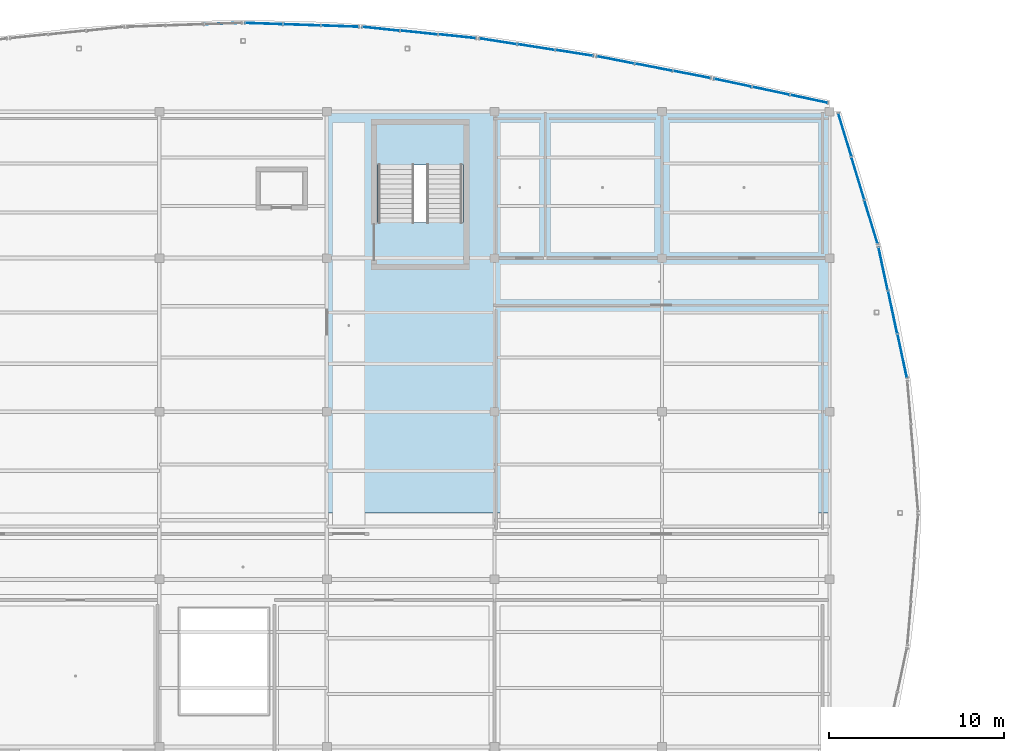
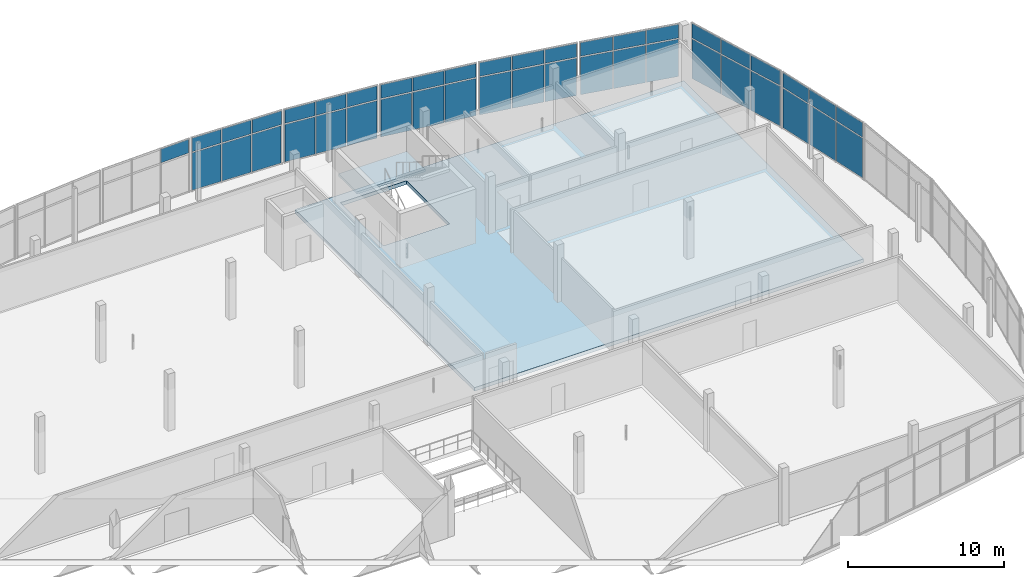
# One storey, part 87 of 114: 43 plates, 2 slabs, 9 elements without a shape of their own.
"""IFC4 building model written with IfcOpenShell, lengths in metres."""

from ifc_helpers import new_model, si_unit, direction, frame, origin, origin_2d, place, context, subcontext, project, spatial, polyline, rectangle, outline, extrude, material, layer, layer_set, type_object, element, aggregate, save


model = new_model("IFC4")

# Units and contexts
model_context = context("Model", 3, precision=1e-05, world=origin(), true_north=direction((0.0, 1.0)))
body_context = subcontext(model_context, "Body", "Model", "MODEL_VIEW")
ifc_project = project(units=[si_unit("LENGTHUNIT", "METRE"), si_unit("AREAUNIT", "SQUARE_METRE"), si_unit("VOLUMEUNIT", "CUBIC_METRE"), si_unit("PLANEANGLEUNIT", "RADIAN"), si_unit("MASSUNIT", "GRAM", prefix="KILO")], contexts=[model_context])

# Site, building, storey
site_placement = place(None, origin())
site = spatial("IfcSite", under=ifc_project, at=site_placement, CompositionType="ELEMENT")
building_placement = place(site_placement, origin())
building = spatial("IfcBuilding", under=site, at=building_placement, Name="Chalmorin Arch Market", CompositionType="ELEMENT")
storey_placement = place(building_placement, frame((0.0, 0.0, 9.60009765625)))
storey = spatial("IfcBuildingStorey", under=building, at=storey_placement, Name="L02", CompositionType="ELEMENT", Elevation=9.60009765625)

# Curtain wall, plate
ifc_material_1 = material(Name="Aluminium 6063-T6", Category="aluminium")
ifc_layer_1 = layer(ifc_material_1, 0.159912109375)
ifc_layer_set_1 = layer_set([ifc_layer_1], Name="Aluminium 6063-T6")
curtain_wall_type_1 = type_object("IfcCurtainWallType", Name="CulinaryStudioCurtainWall-CW3-6540x4220", PredefinedType="NOTDEFINED", material=ifc_layer_set_1)
curtain_wall_1_placement = place(storey_placement, origin())
curtain_wall_1 = element("IfcCurtainWall", 1, at=curtain_wall_1_placement, inside=storey, type_object=curtain_wall_type_1, Name="CW-03-134", PredefinedType="NOTDEFINED")
ifc_material_2 = material(Name="Powder-coated Aluminium Panel", Category="aluminium")
ifc_layer_2 = layer(ifc_material_2, 0.0400390625)
ifc_layer_set_2 = layer_set([ifc_layer_2], Name="Powder-coated Aluminium Panel")
plate_type_1 = type_object("IfcPlateType", Name="ShadowboxSpandrelPanel-40", PredefinedType="CURTAIN_PANEL", material=ifc_layer_set_2)
plate_1_placement = place(storey_placement, frame((80.420166015625, 123.04052734375, 3.08349609375), z_axis=(0.0, 0.0, 1.0), x_axis=(0.999390827019, 0.034899496703, 0.0)))
plate_1 = element("IfcPlate", 2, at=plate_1_placement, type_object=plate_type_1, Name="SP-40-134-03B", PredefinedType="CURTAIN_PANEL", context=body_context, shape_type="SweptSolid", body=[
    extrude(rectangle(XDim=2.101318359375, YDim=0.0400390625, at=origin_2d()), origin(), (0.0, 0.0, 1.0), 1.066650390625),
])
aggregate(curtain_wall_1, [plate_1])

# Curtain wall, plates
curtain_wall_2_placement = place(storey_placement, origin())
curtain_wall_2 = element("IfcCurtainWall", 3, at=curtain_wall_2_placement, inside=storey, type_object=curtain_wall_type_1, Name="CW-03-137", PredefinedType="NOTDEFINED")
plate_2_placement = place(storey_placement, frame((82.77978515625, 123.04052734375, 3.08349609375), z_axis=(0.0, 0.0, 1.0), x_axis=(0.999390827019, -0.034899496703, 0.0)))
plate_2 = element("IfcPlate", 4, at=plate_2_placement, type_object=plate_type_1, Name="SP-40-137-01B", PredefinedType="CURTAIN_PANEL", context=body_context, shape_type="SweptSolid", body=[
    extrude(rectangle(XDim=2.101318359375, YDim=0.0400390625, at=origin_2d()), origin(), (0.0, 0.0, 1.0), 1.066650390625),
])
plate_3_placement = place(storey_placement, frame((84.9599609375, 122.967529296875, 3.08349609375), z_axis=(0.0, 0.0, 1.0), x_axis=(0.999390827019, -0.034899496703, 0.0)))
plate_3 = element("IfcPlate", 5, at=plate_3_placement, type_object=plate_type_1, Name="SP-40-137-02B", PredefinedType="CURTAIN_PANEL", context=body_context, shape_type="SweptSolid", body=[
    extrude(rectangle(XDim=2.101318359375, YDim=0.0400390625, at=origin_2d()), origin(), (0.0, 0.0, 1.0), 1.066650390625),
])
plate_4_placement = place(storey_placement, frame((87.14013671875, 122.89453125, 3.08349609375), z_axis=(0.0, 0.0, 1.0), x_axis=(0.999390827019, -0.034899496703, 0.0)))
plate_4 = element("IfcPlate", 6, at=plate_4_placement, type_object=plate_type_1, Name="SP-40-137-03B", PredefinedType="CURTAIN_PANEL", context=body_context, shape_type="SweptSolid", body=[
    extrude(rectangle(XDim=2.101318359375, YDim=0.0400390625, at=origin_2d()), origin(), (0.0, 0.0, 1.0), 1.066650390625),
])

ifc_layer_3 = layer(ifc_material_1, 0.159912109375)
ifc_layer_set_3 = layer_set([ifc_layer_3], Name="Aluminium 6063-T6")
curtain_wall_type_2 = type_object("IfcCurtainWallType", Name="CulinaryStudioCurtainWall-CW3-6570x4220", PredefinedType="NOTDEFINED", material=ifc_layer_set_3)
curtain_wall_3_placement = place(storey_placement, origin())
curtain_wall_3 = element("IfcCurtainWall", 7, at=curtain_wall_3_placement, inside=storey, type_object=curtain_wall_type_2, Name="CW-03-140", PredefinedType="NOTDEFINED")
plate_5_placement = place(storey_placement, frame((89.499755859375, 122.740234375, 3.08349609375), z_axis=(0.0, 0.0, 1.0), x_axis=(0.994521895368, -0.104528463268, 0.0)))
plate_5 = element("IfcPlate", 8, at=plate_5_placement, type_object=plate_type_1, Name="SP-40-140-01B", PredefinedType="CURTAIN_PANEL", context=body_context, shape_type="SweptSolid", body=[
    extrude(rectangle(XDim=2.110595703125, YDim=0.0400390625, at=origin_2d()), origin(), (0.0, 0.0, 1.0), 1.066650390625),
])
plate_6_placement = place(storey_placement, frame((91.679931640625, 122.528076171875, 3.08349609375), z_axis=(0.0, 0.0, 1.0), x_axis=(0.994521895368, -0.104528463268, 0.0)))
plate_6 = element("IfcPlate", 9, at=plate_6_placement, type_object=plate_type_1, Name="SP-40-140-02B", PredefinedType="CURTAIN_PANEL", context=body_context, shape_type="SweptSolid", body=[
    extrude(rectangle(XDim=2.110595703125, YDim=0.0400390625, at=origin_2d()), origin(), (0.0, 0.0, 1.0), 1.066650390625),
])
plate_7_placement = place(storey_placement, frame((93.8603515625, 122.31591796875, 3.08349609375), z_axis=(0.0, 0.0, 1.0), x_axis=(0.994521895368, -0.104528463268, 0.0)))
plate_7 = element("IfcPlate", 10, at=plate_7_placement, type_object=plate_type_1, Name="SP-40-140-03B", PredefinedType="CURTAIN_PANEL", context=body_context, shape_type="SweptSolid", body=[
    extrude(rectangle(XDim=2.110595703125, YDim=0.0400390625, at=origin_2d()), origin(), (0.0, 0.0, 1.0), 1.066650390625),
])

ifc_layer_4 = layer(ifc_material_1, 0.159912109375)
ifc_layer_set_4 = layer_set([ifc_layer_4], Name="Aluminium 6063-T6")
curtain_wall_type_3 = type_object("IfcCurtainWallType", Name="CulinaryStudioCurtainWall-CW3-6620x4220", PredefinedType="NOTDEFINED", material=ifc_layer_set_4)
curtain_wall_4_placement = place(storey_placement, origin())
curtain_wall_4 = element("IfcCurtainWall", 11, at=curtain_wall_4_placement, inside=storey, type_object=curtain_wall_type_3, Name="CW-03-143", PredefinedType="NOTDEFINED")
plate_8_placement = place(storey_placement, frame((96.21923828125, 122.0224609375, 3.08349609375), z_axis=(0.0, 0.0, 1.0), x_axis=(0.987688340595, -0.15643446504, 0.0)))
plate_8 = element("IfcPlate", 12, at=plate_8_placement, type_object=plate_type_1, Name="SP-40-143-01B", PredefinedType="CURTAIN_PANEL", context=body_context, shape_type="SweptSolid", body=[
    extrude(rectangle(XDim=2.12548828125, YDim=0.0400390625, at=origin_2d()), origin(), (0.0, 0.0, 1.0), 1.066650390625),
])
plate_9_placement = place(storey_placement, frame((98.39990234375, 121.6923828125, 3.08349609375), z_axis=(0.0, 0.0, 1.0), x_axis=(0.987688340595, -0.15643446504, 0.0)))
plate_9 = element("IfcPlate", 13, at=plate_9_placement, type_object=plate_type_1, Name="SP-40-143-02B", PredefinedType="CURTAIN_PANEL", context=body_context, shape_type="SweptSolid", body=[
    extrude(rectangle(XDim=2.12548828125, YDim=0.0400390625, at=origin_2d()), origin(), (0.0, 0.0, 1.0), 1.066650390625),
])
plate_10_placement = place(storey_placement, frame((100.580810546875, 121.362548828125, 3.08349609375), z_axis=(0.0, 0.0, 1.0), x_axis=(0.987688340595, -0.15643446504, 0.0)))
plate_10 = element("IfcPlate", 14, at=plate_10_placement, type_object=plate_type_1, Name="SP-40-143-03B", PredefinedType="CURTAIN_PANEL", context=body_context, shape_type="SweptSolid", body=[
    extrude(rectangle(XDim=2.12548828125, YDim=0.0400390625, at=origin_2d()), origin(), (0.0, 0.0, 1.0), 1.066650390625),
])

ifc_layer_5 = layer(ifc_material_1, 0.159912109375)
ifc_layer_set_5 = layer_set([ifc_layer_5], Name="Aluminium 6063-T6")
curtain_wall_type_4 = type_object("IfcCurtainWallType", Name="CulinaryStudioCurtainWall-CW3-6660x4220", PredefinedType="NOTDEFINED", material=ifc_layer_set_5)
curtain_wall_5_placement = place(storey_placement, origin())
curtain_wall_5 = element("IfcCurtainWall", 15, at=curtain_wall_5_placement, inside=storey, type_object=curtain_wall_type_4, Name="CW-03-146", PredefinedType="NOTDEFINED")
plate_11_placement = place(storey_placement, frame((102.93896484375, 120.958984375, 3.08349609375), z_axis=(0.0, 0.0, 1.0), x_axis=(0.981627183448, -0.190808995377, 0.0)))
plate_11 = element("IfcPlate", 16, at=plate_11_placement, type_object=plate_type_1, Name="SP-40-146-01B", PredefinedType="CURTAIN_PANEL", context=body_context, shape_type="SweptSolid", body=[
    extrude(rectangle(XDim=2.140380859375, YDim=0.0400390625, at=origin_2d()), origin(), (0.0, 0.0, 1.0), 1.066650390625),
])
plate_12_placement = place(storey_placement, frame((105.1201171875, 120.54248046875, 3.08349609375), z_axis=(0.0, 0.0, 1.0), x_axis=(0.981627183448, -0.190808995377, 0.0)))
plate_12 = element("IfcPlate", 17, at=plate_12_placement, type_object=plate_type_1, Name="SP-40-146-02B", PredefinedType="CURTAIN_PANEL", context=body_context, shape_type="SweptSolid", body=[
    extrude(rectangle(XDim=2.140380859375, YDim=0.0400390625, at=origin_2d()), origin(), (0.0, 0.0, 1.0), 1.066650390625),
])
plate_13_placement = place(storey_placement, frame((107.301025390625, 120.126220703125, 3.08349609375), z_axis=(0.0, 0.0, 1.0), x_axis=(0.981627183448, -0.190808995377, 0.0)))
plate_13 = element("IfcPlate", 18, at=plate_13_placement, type_object=plate_type_1, Name="SP-40-146-03B", PredefinedType="CURTAIN_PANEL", context=body_context, shape_type="SweptSolid", body=[
    extrude(rectangle(XDim=2.140380859375, YDim=0.0400390625, at=origin_2d()), origin(), (0.0, 0.0, 1.0), 1.066650390625),
])

ifc_layer_6 = layer(ifc_material_1, 0.159912109375)
ifc_layer_set_6 = layer_set([ifc_layer_6], Name="Aluminium 6063-T6")
curtain_wall_type_5 = type_object("IfcCurtainWallType", Name="CulinaryStudioCurtainWall-CW3-6690x4220", PredefinedType="NOTDEFINED", material=ifc_layer_set_6)
curtain_wall_6_placement = place(storey_placement, origin())
curtain_wall_6 = element("IfcCurtainWall", 19, at=curtain_wall_6_placement, inside=storey, type_object=curtain_wall_type_5, Name="CW-03-149", PredefinedType="NOTDEFINED")
plate_14_placement = place(storey_placement, frame((109.65869140625, 119.65185546875, 3.08349609375), z_axis=(0.0, 0.0, 1.0), x_axis=(0.978147600734, -0.207911690818, 0.0)))
plate_14 = element("IfcPlate", 20, at=plate_14_placement, type_object=plate_type_1, Name="SP-40-149-01B", PredefinedType="CURTAIN_PANEL", context=body_context, shape_type="SweptSolid", body=[
    extrude(rectangle(XDim=2.1494140625, YDim=0.0400390625, at=origin_2d()), origin(), (0.0, 0.0, 1.0), 1.066650390625),
])
plate_15_placement = place(storey_placement, frame((111.840087890625, 119.1904296875, 3.08349609375), z_axis=(0.0, 0.0, 1.0), x_axis=(0.978147600734, -0.207911690818, 0.0)))
plate_15 = element("IfcPlate", 21, at=plate_15_placement, type_object=plate_type_1, Name="SP-40-149-02B", PredefinedType="CURTAIN_PANEL", context=body_context, shape_type="SweptSolid", body=[
    extrude(rectangle(XDim=2.1494140625, YDim=0.0400390625, at=origin_2d()), origin(), (0.0, 0.0, 1.0), 1.066650390625),
])
plate_16_placement = place(storey_placement, frame((114.021240234375, 118.729248046875, 3.08349609375), z_axis=(0.0, 0.0, 1.0), x_axis=(0.978147600734, -0.207911690818, 0.0)))
plate_16 = element("IfcPlate", 22, at=plate_16_placement, type_object=plate_type_1, Name="SP-40-149-03B", PredefinedType="CURTAIN_PANEL", context=body_context, shape_type="SweptSolid", body=[
    extrude(rectangle(XDim=2.1494140625, YDim=0.0400390625, at=origin_2d()), origin(), (0.0, 0.0, 1.0), 1.066650390625),
])

ifc_layer_7 = layer(ifc_material_1, 0.159912109375)
ifc_layer_set_7 = layer_set([ifc_layer_7], Name="Aluminium 6063-T6")
curtain_wall_type_6 = type_object("IfcCurtainWallType", Name="CulinaryStudioCurtainWall-CW3-7670x4450", PredefinedType="NOTDEFINED", material=ifc_layer_set_7)
curtain_wall_7_placement = place(storey_placement, origin())
curtain_wall_7 = element("IfcCurtainWall", 23, at=curtain_wall_7_placement, inside=storey, type_object=curtain_wall_type_6, Name="CW-03-188", PredefinedType="NOTDEFINED")
plate_17_placement = place(storey_placement, frame((119.37060546875, 104.00341796875, 3.2490234375), z_axis=(0.0, 0.0, 1.0), x_axis=(-0.207911690818, 0.978147600734, 0.0)))
plate_17 = element("IfcPlate", 24, at=plate_17_placement, type_object=plate_type_1, Name="SP-40-188-01B", PredefinedType="CURTAIN_PANEL", context=body_context, shape_type="SweptSolid", body=[
    extrude(rectangle(XDim=2.476318359375, YDim=0.0400390625, at=origin_2d()), origin(), (0.0, 0.0, 1.0), 1.131103515625),
])
plate_18_placement = place(storey_placement, frame((118.822021484375, 106.5, 3.2490234375), z_axis=(0.0, 0.0, 1.0), x_axis=(-0.207911690818, 0.978147600734, 0.0)))
plate_18 = element("IfcPlate", 25, at=plate_18_placement, type_object=plate_type_1, Name="SP-40-188-02B", PredefinedType="CURTAIN_PANEL", context=body_context, shape_type="SweptSolid", body=[
    extrude(rectangle(XDim=2.476318359375, YDim=0.0400390625, at=origin_2d()), origin(), (0.0, 0.0, 1.0), 1.131103515625),
])
plate_19_placement = place(storey_placement, frame((118.2734375, 108.99658203125, 3.2490234375), z_axis=(0.0, 0.0, 1.0), x_axis=(-0.207911690818, 0.978147600734, 0.0)))
plate_19 = element("IfcPlate", 26, at=plate_19_placement, type_object=plate_type_1, Name="SP-40-188-03B", PredefinedType="CURTAIN_PANEL", context=body_context, shape_type="SweptSolid", body=[
    extrude(rectangle(XDim=2.476318359375, YDim=0.0400390625, at=origin_2d()), origin(), (0.0, 0.0, 1.0), 1.131103515625),
])

ifc_layer_8 = layer(ifc_material_1, 0.159912109375)
ifc_layer_set_8 = layer_set([ifc_layer_8], Name="Aluminium 6063-T6")
curtain_wall_type_7 = type_object("IfcCurtainWallType", Name="CulinaryStudioCurtainWall-CW3-7820x4450", PredefinedType="NOTDEFINED", material=ifc_layer_set_8)
curtain_wall_8_placement = place(storey_placement, origin())
curtain_wall_8 = element("IfcCurtainWall", 27, at=curtain_wall_8_placement, inside=storey, type_object=curtain_wall_type_7, Name="CW-03-190", PredefinedType="NOTDEFINED")
plate_20_placement = place(storey_placement, frame((117.579345703125, 111.668212890625, 3.2490234375), z_axis=(0.0, 0.0, 1.0), x_axis=(-0.292371704723, 0.956304755963, 0.0)))
plate_20 = element("IfcPlate", 28, at=plate_20_placement, type_object=plate_type_1, Name="SP-40-190-01B", PredefinedType="CURTAIN_PANEL", context=body_context, shape_type="SweptSolid", body=[
    extrude(rectangle(XDim=2.5283203125, YDim=0.0400390625, at=origin_2d()), origin(), (0.0, 0.0, 1.0), 1.131103515625),
])
plate_21_placement = place(storey_placement, frame((116.830078125, 114.16650390625, 3.2490234375), z_axis=(0.0, 0.0, 1.0), x_axis=(-0.292371704723, 0.956304755963, 0.0)))
plate_21 = element("IfcPlate", 29, at=plate_21_placement, type_object=plate_type_1, Name="SP-40-190-02B", PredefinedType="CURTAIN_PANEL", context=body_context, shape_type="SweptSolid", body=[
    extrude(rectangle(XDim=2.5283203125, YDim=0.0400390625, at=origin_2d()), origin(), (0.0, 0.0, 1.0), 1.131103515625),
])
plate_22_placement = place(storey_placement, frame((116.08056640625, 116.664794921875, 3.2490234375), z_axis=(0.0, 0.0, 1.0), x_axis=(-0.292371704723, 0.956304755963, 0.0)))
plate_22 = element("IfcPlate", 30, at=plate_22_placement, type_object=plate_type_1, Name="SP-40-190-03B", PredefinedType="CURTAIN_PANEL", context=body_context, shape_type="SweptSolid", body=[
    extrude(rectangle(XDim=2.5283203125, YDim=0.0400390625, at=origin_2d()), origin(), (0.0, 0.0, 1.0), 1.131103515625),
])

# Stair, slab
ifc_material_3 = material(Name="Concrete C40/50", Category="concrete")
stair_type = type_object("IfcStairType", Name="DoglegExitStair-26R-SC6", PredefinedType="HALF_TURN_STAIR", material=ifc_material_3)
stair_placement = place(storey_placement, origin())
stair = element("IfcStair", 31, at=stair_placement, inside=storey, type_object=stair_type, Name="ST-18", PredefinedType="HALF_TURN_STAIR")
ifc_layer_9 = layer(ifc_material_3, 0.18505859375)
ifc_layer_set_9 = layer_set([ifc_layer_9], Name="Concrete C40/50")
slab_type_1 = type_object("IfcSlabType", Name="StairLandingSlab-185", PredefinedType="LANDING", material=ifc_layer_set_9)
slab_1_placement = place(storey_placement, frame((0.0, 0.0, 2.06494140625)))
slab_1 = element("IfcSlab", 32, at=slab_1_placement, type_object=slab_type_1, Name="LS-018", PredefinedType="LANDING", context=body_context, shape_type="SweptSolid", body=[
    extrude(outline(polyline([(89.219970703125, 114.929931640625), (94.280029296875, 114.929931640625), (94.280029296875, 117.280029296875), (89.219970703125, 117.280029296875), (89.219970703125, 114.929931640625)])), origin(), (0.0, 0.0, 1.0), 0.18505859375),
])
aggregate(stair, [slab_1])

# Slab
ifc_layer_10 = layer(ifc_material_3, 0.280029296875)
ifc_layer_set_10 = layer_set([ifc_layer_10], Name="Concrete C40/50")
slab_type_2 = type_object("IfcSlabType", Name="SuspendedFloorSlab-280", PredefinedType="FLOOR", material=ifc_layer_set_10)
slab_2_placement = place(storey_placement, frame((0.0, 0.0, -0.280029296875)))
element("IfcSlab", 33, at=slab_2_placement, inside=storey, type_object=slab_type_2, Name="FS-280-119", PredefinedType="FLOOR", context=body_context, shape_type="SweptSolid", body=[
    extrude(outline(polyline([(86.409912109375, 95.010009765625), (115.18994140625, 95.010009765625), (115.18994140625, 118.0), (86.409912109375, 118.0), (86.409912109375, 95.010009765625)]), holes=[polyline([(89.300048828125, 111.64990234375), (94.199951171875, 111.64990234375), (94.199951171875, 117.199951171875), (89.300048828125, 117.199951171875), (89.300048828125, 111.64990234375)])]), origin(), (0.0, 0.0, 1.0), 0.280029296875),
])

# Plate
ifc_material_4 = material(Name="Low-E Tempered Glass", Category="glass")
ifc_layer_11 = layer(ifc_material_4, 0.028076171875)
ifc_layer_set_11 = layer_set([ifc_layer_11], Name="Low-E Tempered Glass")
plate_type_2 = type_object("IfcPlateType", Name="VisionIGUPanel-28", PredefinedType="CURTAIN_PANEL", material=ifc_layer_set_11)
plate_23_placement = place(storey_placement, frame((82.77978515625, 123.04052734375, 0.06982421875), z_axis=(0.0, 0.0, 1.0), x_axis=(0.999390827019, -0.034899496703, 0.0)))
plate_23 = element("IfcPlate", 34, at=plate_23_placement, type_object=plate_type_2, Name="GL-28-137-01A", PredefinedType="CURTAIN_PANEL", context=body_context, shape_type="SweptSolid", body=[
    extrude(rectangle(XDim=2.101318359375, YDim=0.028076171875, at=origin_2d()), origin(), (0.0, 0.0, 1.0), 2.92333984375),
])

plate_24_placement = place(storey_placement, frame((84.9599609375, 122.967529296875, 0.06982421875), z_axis=(0.0, 0.0, 1.0), x_axis=(0.999390827019, -0.034899496703, 0.0)))
plate_24 = element("IfcPlate", 35, at=plate_24_placement, type_object=plate_type_2, Name="GL-28-137-02A", PredefinedType="CURTAIN_PANEL", context=body_context, shape_type="SweptSolid", body=[
    extrude(rectangle(XDim=2.101318359375, YDim=0.028076171875, at=origin_2d()), origin(), (0.0, 0.0, 1.0), 2.92333984375),
])

plate_25_placement = place(storey_placement, frame((87.14013671875, 122.89453125, 0.06982421875), z_axis=(0.0, 0.0, 1.0), x_axis=(0.999390827019, -0.034899496703, 0.0)))
plate_25 = element("IfcPlate", 36, at=plate_25_placement, type_object=plate_type_2, Name="GL-28-137-03A", PredefinedType="CURTAIN_PANEL", context=body_context, shape_type="SweptSolid", body=[
    extrude(rectangle(XDim=2.101318359375, YDim=0.028076171875, at=origin_2d()), origin(), (0.0, 0.0, 1.0), 2.92333984375),
])

aggregate(curtain_wall_2, [plate_23, plate_2, plate_24, plate_3, plate_25, plate_4])

plate_26_placement = place(storey_placement, frame((89.499755859375, 122.740234375, 0.06982421875), z_axis=(0.0, 0.0, 1.0), x_axis=(0.994521895368, -0.104528463268, 0.0)))
plate_26 = element("IfcPlate", 37, at=plate_26_placement, type_object=plate_type_2, Name="GL-28-140-01A", PredefinedType="CURTAIN_PANEL", context=body_context, shape_type="SweptSolid", body=[
    extrude(rectangle(XDim=2.110595703125, YDim=0.028076171875, at=origin_2d()), origin(), (0.0, 0.0, 1.0), 2.92333984375),
])

plate_27_placement = place(storey_placement, frame((91.679931640625, 122.528076171875, 0.06982421875), z_axis=(0.0, 0.0, 1.0), x_axis=(0.994521895368, -0.104528463268, 0.0)))
plate_27 = element("IfcPlate", 38, at=plate_27_placement, type_object=plate_type_2, Name="GL-28-140-02A", PredefinedType="CURTAIN_PANEL", context=body_context, shape_type="SweptSolid", body=[
    extrude(rectangle(XDim=2.110595703125, YDim=0.028076171875, at=origin_2d()), origin(), (0.0, 0.0, 1.0), 2.92333984375),
])

plate_28_placement = place(storey_placement, frame((93.8603515625, 122.31591796875, 0.06982421875), z_axis=(0.0, 0.0, 1.0), x_axis=(0.994521895368, -0.104528463268, 0.0)))
plate_28 = element("IfcPlate", 39, at=plate_28_placement, type_object=plate_type_2, Name="GL-28-140-03A", PredefinedType="CURTAIN_PANEL", context=body_context, shape_type="SweptSolid", body=[
    extrude(rectangle(XDim=2.110595703125, YDim=0.028076171875, at=origin_2d()), origin(), (0.0, 0.0, 1.0), 2.92333984375),
])

aggregate(curtain_wall_3, [plate_26, plate_5, plate_27, plate_6, plate_28, plate_7])

plate_29_placement = place(storey_placement, frame((96.21923828125, 122.0224609375, 0.06982421875), z_axis=(0.0, 0.0, 1.0), x_axis=(0.987688340595, -0.15643446504, 0.0)))
plate_29 = element("IfcPlate", 40, at=plate_29_placement, type_object=plate_type_2, Name="GL-28-143-01A", PredefinedType="CURTAIN_PANEL", context=body_context, shape_type="SweptSolid", body=[
    extrude(rectangle(XDim=2.12548828125, YDim=0.028076171875, at=origin_2d()), origin(), (0.0, 0.0, 1.0), 2.92333984375),
])

plate_30_placement = place(storey_placement, frame((98.39990234375, 121.6923828125, 0.06982421875), z_axis=(0.0, 0.0, 1.0), x_axis=(0.987688340595, -0.15643446504, 0.0)))
plate_30 = element("IfcPlate", 41, at=plate_30_placement, type_object=plate_type_2, Name="GL-28-143-02A", PredefinedType="CURTAIN_PANEL", context=body_context, shape_type="SweptSolid", body=[
    extrude(rectangle(XDim=2.12548828125, YDim=0.028076171875, at=origin_2d()), origin(), (0.0, 0.0, 1.0), 2.92333984375),
])

plate_31_placement = place(storey_placement, frame((100.580810546875, 121.362548828125, 0.06982421875), z_axis=(0.0, 0.0, 1.0), x_axis=(0.987688340595, -0.15643446504, 0.0)))
plate_31 = element("IfcPlate", 42, at=plate_31_placement, type_object=plate_type_2, Name="GL-28-143-03A", PredefinedType="CURTAIN_PANEL", context=body_context, shape_type="SweptSolid", body=[
    extrude(rectangle(XDim=2.12548828125, YDim=0.028076171875, at=origin_2d()), origin(), (0.0, 0.0, 1.0), 2.92333984375),
])

aggregate(curtain_wall_4, [plate_29, plate_8, plate_30, plate_9, plate_31, plate_10])

plate_32_placement = place(storey_placement, frame((102.93896484375, 120.958984375, 0.06982421875), z_axis=(0.0, 0.0, 1.0), x_axis=(0.981627183448, -0.190808995377, 0.0)))
plate_32 = element("IfcPlate", 43, at=plate_32_placement, type_object=plate_type_2, Name="GL-28-146-01A", PredefinedType="CURTAIN_PANEL", context=body_context, shape_type="SweptSolid", body=[
    extrude(rectangle(XDim=2.140380859375, YDim=0.028076171875, at=origin_2d()), origin(), (0.0, 0.0, 1.0), 2.92333984375),
])

plate_33_placement = place(storey_placement, frame((105.1201171875, 120.54248046875, 0.06982421875), z_axis=(0.0, 0.0, 1.0), x_axis=(0.981627183448, -0.190808995377, 0.0)))
plate_33 = element("IfcPlate", 44, at=plate_33_placement, type_object=plate_type_2, Name="GL-28-146-02A", PredefinedType="CURTAIN_PANEL", context=body_context, shape_type="SweptSolid", body=[
    extrude(rectangle(XDim=2.140380859375, YDim=0.028076171875, at=origin_2d()), origin(), (0.0, 0.0, 1.0), 2.92333984375),
])

plate_34_placement = place(storey_placement, frame((107.301025390625, 120.126220703125, 0.06982421875), z_axis=(0.0, 0.0, 1.0), x_axis=(0.981627183448, -0.190808995377, 0.0)))
plate_34 = element("IfcPlate", 45, at=plate_34_placement, type_object=plate_type_2, Name="GL-28-146-03A", PredefinedType="CURTAIN_PANEL", context=body_context, shape_type="SweptSolid", body=[
    extrude(rectangle(XDim=2.140380859375, YDim=0.028076171875, at=origin_2d()), origin(), (0.0, 0.0, 1.0), 2.92333984375),
])

aggregate(curtain_wall_5, [plate_32, plate_11, plate_33, plate_12, plate_34, plate_13])

plate_35_placement = place(storey_placement, frame((109.65869140625, 119.65185546875, 0.06982421875), z_axis=(0.0, 0.0, 1.0), x_axis=(0.978147600734, -0.207911690818, 0.0)))
plate_35 = element("IfcPlate", 46, at=plate_35_placement, type_object=plate_type_2, Name="GL-28-149-01A", PredefinedType="CURTAIN_PANEL", context=body_context, shape_type="SweptSolid", body=[
    extrude(rectangle(XDim=2.1494140625, YDim=0.028076171875, at=origin_2d()), origin(), (0.0, 0.0, 1.0), 2.92333984375),
])

plate_36_placement = place(storey_placement, frame((111.840087890625, 119.1904296875, 0.06982421875), z_axis=(0.0, 0.0, 1.0), x_axis=(0.978147600734, -0.207911690818, 0.0)))
plate_36 = element("IfcPlate", 47, at=plate_36_placement, type_object=plate_type_2, Name="GL-28-149-02A", PredefinedType="CURTAIN_PANEL", context=body_context, shape_type="SweptSolid", body=[
    extrude(rectangle(XDim=2.1494140625, YDim=0.028076171875, at=origin_2d()), origin(), (0.0, 0.0, 1.0), 2.92333984375),
])

plate_37_placement = place(storey_placement, frame((114.021240234375, 118.729248046875, 0.06982421875), z_axis=(0.0, 0.0, 1.0), x_axis=(0.978147600734, -0.207911690818, 0.0)))
plate_37 = element("IfcPlate", 48, at=plate_37_placement, type_object=plate_type_2, Name="GL-28-149-03A", PredefinedType="CURTAIN_PANEL", context=body_context, shape_type="SweptSolid", body=[
    extrude(rectangle(XDim=2.1494140625, YDim=0.028076171875, at=origin_2d()), origin(), (0.0, 0.0, 1.0), 2.92333984375),
])

aggregate(curtain_wall_6, [plate_35, plate_14, plate_36, plate_15, plate_37, plate_16])

plate_38_placement = place(storey_placement, frame((119.37060546875, 104.00341796875, 0.06982421875), z_axis=(0.0, 0.0, 1.0), x_axis=(-0.207911690818, 0.978147600734, 0.0)))
plate_38 = element("IfcPlate", 49, at=plate_38_placement, type_object=plate_type_2, Name="GL-28-188-01A", PredefinedType="CURTAIN_PANEL", context=body_context, shape_type="SweptSolid", body=[
    extrude(rectangle(XDim=2.476318359375, YDim=0.028076171875, at=origin_2d()), origin(), (0.0, 0.0, 1.0), 3.089111328125),
])

plate_39_placement = place(storey_placement, frame((118.822021484375, 106.5, 0.06982421875), z_axis=(0.0, 0.0, 1.0), x_axis=(-0.207911690818, 0.978147600734, 0.0)))
plate_39 = element("IfcPlate", 50, at=plate_39_placement, type_object=plate_type_2, Name="GL-28-188-02A", PredefinedType="CURTAIN_PANEL", context=body_context, shape_type="SweptSolid", body=[
    extrude(rectangle(XDim=2.476318359375, YDim=0.028076171875, at=origin_2d()), origin(), (0.0, 0.0, 1.0), 3.089111328125),
])

plate_40_placement = place(storey_placement, frame((118.2734375, 108.99658203125, 0.06982421875), z_axis=(0.0, 0.0, 1.0), x_axis=(-0.207911690818, 0.978147600734, 0.0)))
plate_40 = element("IfcPlate", 51, at=plate_40_placement, type_object=plate_type_2, Name="GL-28-188-03A", PredefinedType="CURTAIN_PANEL", context=body_context, shape_type="SweptSolid", body=[
    extrude(rectangle(XDim=2.476318359375, YDim=0.028076171875, at=origin_2d()), origin(), (0.0, 0.0, 1.0), 3.089111328125),
])

aggregate(curtain_wall_7, [plate_38, plate_17, plate_39, plate_18, plate_40, plate_19])

plate_41_placement = place(storey_placement, frame((117.579345703125, 111.668212890625, 0.06982421875), z_axis=(0.0, 0.0, 1.0), x_axis=(-0.292371704723, 0.956304755963, 0.0)))
plate_41 = element("IfcPlate", 52, at=plate_41_placement, type_object=plate_type_2, Name="GL-28-190-01A", PredefinedType="CURTAIN_PANEL", context=body_context, shape_type="SweptSolid", body=[
    extrude(rectangle(XDim=2.5283203125, YDim=0.028076171875, at=origin_2d()), origin(), (0.0, 0.0, 1.0), 3.089111328125),
])

plate_42_placement = place(storey_placement, frame((116.830078125, 114.16650390625, 0.06982421875), z_axis=(0.0, 0.0, 1.0), x_axis=(-0.292371704723, 0.956304755963, 0.0)))
plate_42 = element("IfcPlate", 53, at=plate_42_placement, type_object=plate_type_2, Name="GL-28-190-02A", PredefinedType="CURTAIN_PANEL", context=body_context, shape_type="SweptSolid", body=[
    extrude(rectangle(XDim=2.5283203125, YDim=0.028076171875, at=origin_2d()), origin(), (0.0, 0.0, 1.0), 3.089111328125),
])

plate_43_placement = place(storey_placement, frame((116.08056640625, 116.664794921875, 0.06982421875), z_axis=(0.0, 0.0, 1.0), x_axis=(-0.292371704723, 0.956304755963, 0.0)))
plate_43 = element("IfcPlate", 54, at=plate_43_placement, type_object=plate_type_2, Name="GL-28-190-03A", PredefinedType="CURTAIN_PANEL", context=body_context, shape_type="SweptSolid", body=[
    extrude(rectangle(XDim=2.5283203125, YDim=0.028076171875, at=origin_2d()), origin(), (0.0, 0.0, 1.0), 3.089111328125),
])

aggregate(curtain_wall_8, [plate_41, plate_20, plate_42, plate_21, plate_43, plate_22])

save(model, "model.ifc")
